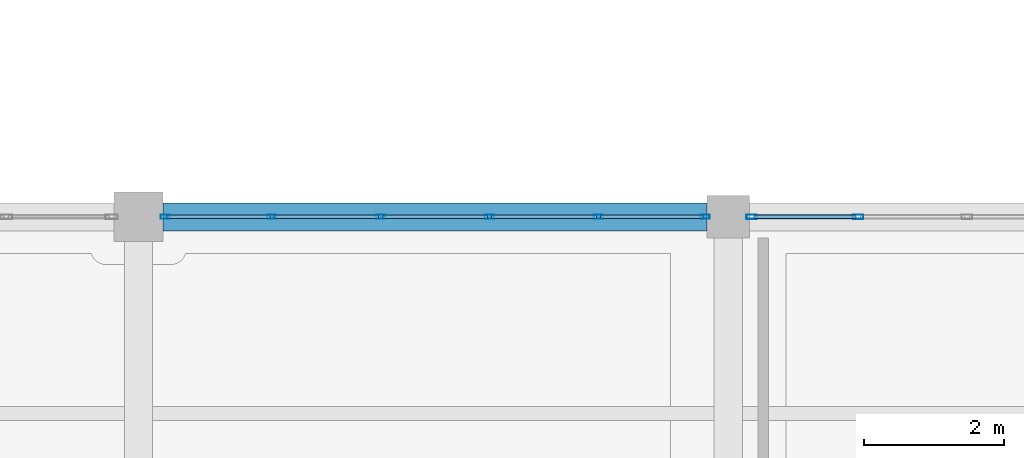
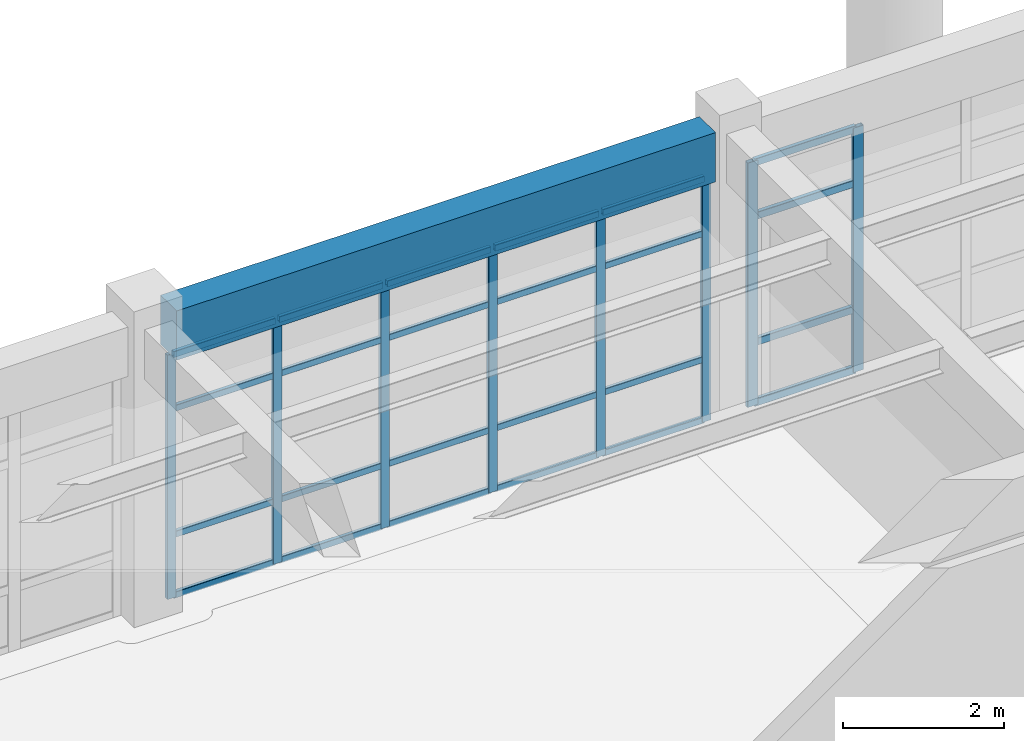
# One storey, part 23 of 98: 32 members, 1 beam, 2 elements without a shape of their own.
"""IFC4 building model written with IfcOpenShell, lengths in metres."""

from ifc_helpers import new_model, si_unit, direction, frame, origin, origin_2d, place, context, subcontext, project, spatial, rectangle, hollow_rectangle, extrude, material, material_profile, profile_set, type_object, element, aggregate, save


model = new_model("IFC4")

# Units and contexts
model_context = context("Model", 3, precision=1e-05, world=origin(), true_north=direction((0.0, 1.0)))
body_context = subcontext(model_context, "Body", "Model", "MODEL_VIEW")
ifc_project = project(units=[si_unit("LENGTHUNIT", "METRE"), si_unit("AREAUNIT", "SQUARE_METRE"), si_unit("VOLUMEUNIT", "CUBIC_METRE"), si_unit("PLANEANGLEUNIT", "RADIAN"), si_unit("MASSUNIT", "GRAM", prefix="KILO")], contexts=[model_context])

# Site, building, storey
site_placement = place(None, origin())
site = spatial("IfcSite", under=ifc_project, at=site_placement, CompositionType="ELEMENT")
building_placement = place(site_placement, origin())
building = spatial("IfcBuilding", under=site, at=building_placement, Name="Canglan Escarpment Cableway Terminal", CompositionType="ELEMENT")
storey_placement = place(building_placement, frame((0.0, 0.0, 9.60009765625)))
storey = spatial("IfcBuildingStorey", under=building, at=storey_placement, Name="L02", CompositionType="ELEMENT", Elevation=9.60009765625)

# Curtain wall, members
ifc_material_1 = material(Name="Anodized bronze aluminium and Low-E double glazing", Category="aluminium")
curtain_wall_type = type_object("IfcCurtainWallType", Name="CW-BAY-7750x3725", PredefinedType="NOTDEFINED", material=ifc_material_1)
curtain_wall_1_placement = place(storey_placement, origin())
curtain_wall_1 = element("IfcCurtainWall", 1, at=curtain_wall_1_placement, inside=storey, type_object=curtain_wall_type, Name="Classical bay-between-piers glazed curtain wall CW-12", PredefinedType="NOTDEFINED")
ifc_material_2 = material(Name="Thermally broken anodized aluminium 6063-T6", Category="aluminium")
ifc_material_profile_1 = material_profile(ifc_material_2, hollow_rectangle(XDim=0.06005859375, YDim=0.1298828125, WallThickness=0.0029296875, InnerFilletRadius=0.0029296875, OuterFilletRadius=0.006103515625, at=origin_2d()), Name="ALU-MULL 60x130x3")
ifc_profile_set_1 = profile_set([ifc_material_profile_1], Name="Thermally broken anodized aluminium 6063-T6")
member_type_1 = type_object("IfcMemberType", Name="CWM-01", PredefinedType="MULLION", material=ifc_profile_set_1)
member_1_placement = place(storey_placement, frame((101.8701171875, 24.800048828125, 0.0), z_axis=(0.0, 0.0, 1.0), x_axis=(0.0, -1.0, 0.0)))
member_1 = element("IfcMember", 2, at=member_1_placement, type_object=member_type_1, Name="CW-12 mullion 1", PredefinedType="MULLION", context=body_context, shape_type="SweptSolid", body=[
    extrude(hollow_rectangle(XDim=0.06005859375, YDim=0.1298828125, WallThickness=0.0029296875, InnerFilletRadius=0.0029296875, OuterFilletRadius=0.006103515625, at=origin_2d()), origin(), (0.0, 0.0, 1.0), 3.71484375),
])
member_2_placement = place(storey_placement, frame((100.35009765625, 24.800048828125, 0.0), z_axis=(0.0, 0.0, 1.0), x_axis=(0.0, -1.0, 0.0)))
member_2 = element("IfcMember", 3, at=member_2_placement, type_object=member_type_1, Name="CW-12 mullion 2", PredefinedType="MULLION", context=body_context, shape_type="SweptSolid", body=[
    extrude(hollow_rectangle(XDim=0.06005859375, YDim=0.1298828125, WallThickness=0.0029296875, InnerFilletRadius=0.0029296875, OuterFilletRadius=0.006103515625, at=origin_2d()), origin(), (0.0, 0.0, 1.0), 3.71484375),
])
member_3_placement = place(storey_placement, frame((98.800048828125, 24.800048828125, 0.0), z_axis=(0.0, 0.0, 1.0), x_axis=(0.0, -1.0, 0.0)))
member_3 = element("IfcMember", 4, at=member_3_placement, type_object=member_type_1, Name="CW-12 mullion 3", PredefinedType="MULLION", context=body_context, shape_type="SweptSolid", body=[
    extrude(hollow_rectangle(XDim=0.06005859375, YDim=0.1298828125, WallThickness=0.0029296875, InnerFilletRadius=0.0029296875, OuterFilletRadius=0.006103515625, at=origin_2d()), origin(), (0.0, 0.0, 1.0), 3.71484375),
])
member_4_placement = place(storey_placement, frame((97.25, 24.800048828125, 0.0), z_axis=(0.0, 0.0, 1.0), x_axis=(0.0, -1.0, 0.0)))
member_4 = element("IfcMember", 5, at=member_4_placement, type_object=member_type_1, Name="CW-12 mullion 4", PredefinedType="MULLION", context=body_context, shape_type="SweptSolid", body=[
    extrude(hollow_rectangle(XDim=0.06005859375, YDim=0.1298828125, WallThickness=0.0029296875, InnerFilletRadius=0.0029296875, OuterFilletRadius=0.006103515625, at=origin_2d()), origin(), (0.0, 0.0, 1.0), 3.71484375),
])
member_5_placement = place(storey_placement, frame((95.699951171875, 24.800048828125, 0.0), z_axis=(0.0, 0.0, 1.0), x_axis=(0.0, -1.0, 0.0)))
member_5 = element("IfcMember", 6, at=member_5_placement, type_object=member_type_1, Name="CW-12 mullion 5", PredefinedType="MULLION", context=body_context, shape_type="SweptSolid", body=[
    extrude(hollow_rectangle(XDim=0.06005859375, YDim=0.1298828125, WallThickness=0.0029296875, InnerFilletRadius=0.0029296875, OuterFilletRadius=0.006103515625, at=origin_2d()), origin(), (0.0, 0.0, 1.0), 3.71484375),
])
member_6_placement = place(storey_placement, frame((94.179931640625, 24.800048828125, 0.0), z_axis=(0.0, 0.0, 1.0), x_axis=(0.0, -1.0, 0.0)))
member_6 = element("IfcMember", 7, at=member_6_placement, type_object=member_type_1, Name="CW-12 mullion 6", PredefinedType="MULLION", context=body_context, shape_type="SweptSolid", body=[
    extrude(hollow_rectangle(XDim=0.06005859375, YDim=0.1298828125, WallThickness=0.0029296875, InnerFilletRadius=0.0029296875, OuterFilletRadius=0.006103515625, at=origin_2d()), origin(), (0.0, 0.0, 1.0), 3.71484375),
])

curtain_wall_2_placement = place(storey_placement, origin())
curtain_wall_2 = element("IfcCurtainWall", 8, at=curtain_wall_2_placement, inside=storey, type_object=curtain_wall_type, Name="Classical bay-between-piers glazed curtain wall CW-12", PredefinedType="NOTDEFINED")
ifc_material_profile_2 = material_profile(ifc_material_2, hollow_rectangle(XDim=0.06494140625, YDim=0.14990234375, WallThickness=0.00341796875, InnerFilletRadius=0.00341796875, OuterFilletRadius=0.007080078125, at=origin_2d()), Name="ALU-MULL 65x150x3.5")
ifc_profile_set_2 = profile_set([ifc_material_profile_2], Name="Thermally broken anodized aluminium 6063-T6")
member_type_2 = type_object("IfcMemberType", Name="CWM-02", PredefinedType="MULLION", material=ifc_profile_set_2)
member_7_placement = place(storey_placement, frame((104.050048828125, 24.800048828125, 0.0), z_axis=(0.0, 0.0, 1.0), x_axis=(0.0, -1.0, 0.0)))
member_7 = element("IfcMember", 9, at=member_7_placement, type_object=member_type_2, Name="CW-12 mullion 5", PredefinedType="MULLION", context=body_context, shape_type="SweptSolid", body=[
    extrude(hollow_rectangle(XDim=0.06494140625, YDim=0.14990234375, WallThickness=0.00341796875, InnerFilletRadius=0.00341796875, OuterFilletRadius=0.007080078125, at=origin_2d()), origin(), (0.0, 0.0, 1.0), 3.71484375),
])
member_8_placement = place(storey_placement, frame((102.532470703125, 24.800048828125, 0.0), z_axis=(0.0, 0.0, 1.0), x_axis=(0.0, -1.0, 0.0)))
member_8 = element("IfcMember", 10, at=member_8_placement, type_object=member_type_2, Name="CW-12 mullion 6", PredefinedType="MULLION", context=body_context, shape_type="SweptSolid", body=[
    extrude(hollow_rectangle(XDim=0.06494140625, YDim=0.14990234375, WallThickness=0.00341796875, InnerFilletRadius=0.00341796875, OuterFilletRadius=0.007080078125, at=origin_2d()), origin(), (0.0, 0.0, 1.0), 3.71484375),
])

# Member
ifc_material_profile_3 = material_profile(ifc_material_2, hollow_rectangle(XDim=0.054931640625, YDim=0.094970703125, WallThickness=0.0029296875, InnerFilletRadius=0.0029296875, OuterFilletRadius=0.006103515625, at=origin_2d()), Name="ALU-TRAN 55x95x3")
ifc_profile_set_3 = profile_set([ifc_material_profile_3], Name="Thermally broken anodized aluminium 6063-T6")
member_type_3 = type_object("IfcMemberType", Name="CWT-01", PredefinedType="USERDEFINED", material=ifc_profile_set_3)
member_9_placement = place(storey_placement, frame((101.840087890625, 24.800048828125, 0.02734375), z_axis=(-1.0, 0.0, 0.0), x_axis=(0.0, -1.0, 0.0)))
member_9 = element("IfcMember", 11, at=member_9_placement, type_object=member_type_3, Name="CW-12 transom 1.1", ObjectType="TRANSOM", PredefinedType="USERDEFINED", context=body_context, shape_type="SweptSolid", body=[
    extrude(hollow_rectangle(XDim=0.054931640625, YDim=0.094970703125, WallThickness=0.0029296875, InnerFilletRadius=0.0029296875, OuterFilletRadius=0.006103515625, at=origin_2d()), origin(), (0.0, 0.0, 1.0), 1.460205078125),
])

member_10_placement = place(storey_placement, frame((101.840087890625, 24.800048828125, 0.949951171875), z_axis=(-1.0, 0.0, 0.0), x_axis=(0.0, -1.0, 0.0)))
member_10 = element("IfcMember", 12, at=member_10_placement, type_object=member_type_3, Name="CW-12 transom 1.2", ObjectType="TRANSOM", PredefinedType="USERDEFINED", context=body_context, shape_type="SweptSolid", body=[
    extrude(hollow_rectangle(XDim=0.054931640625, YDim=0.094970703125, WallThickness=0.0029296875, InnerFilletRadius=0.0029296875, OuterFilletRadius=0.006103515625, at=origin_2d()), origin(), (0.0, 0.0, 1.0), 1.460205078125),
])

member_11_placement = place(storey_placement, frame((101.840087890625, 24.800048828125, 2.864990234375), z_axis=(-1.0, 0.0, 0.0), x_axis=(0.0, -1.0, 0.0)))
member_11 = element("IfcMember", 13, at=member_11_placement, type_object=member_type_3, Name="CW-12 transom 1.3", ObjectType="TRANSOM", PredefinedType="USERDEFINED", context=body_context, shape_type="SweptSolid", body=[
    extrude(hollow_rectangle(XDim=0.054931640625, YDim=0.094970703125, WallThickness=0.0029296875, InnerFilletRadius=0.0029296875, OuterFilletRadius=0.006103515625, at=origin_2d()), origin(), (0.0, 0.0, 1.0), 1.460205078125),
])

member_12_placement = place(storey_placement, frame((101.840087890625, 24.800048828125, 3.6875), z_axis=(-1.0, 0.0, 0.0), x_axis=(0.0, -1.0, 0.0)))
member_12 = element("IfcMember", 14, at=member_12_placement, type_object=member_type_3, Name="CW-12 transom 1.4", ObjectType="TRANSOM", PredefinedType="USERDEFINED", context=body_context, shape_type="SweptSolid", body=[
    extrude(hollow_rectangle(XDim=0.054931640625, YDim=0.094970703125, WallThickness=0.0029296875, InnerFilletRadius=0.0029296875, OuterFilletRadius=0.006103515625, at=origin_2d()), origin(), (0.0, 0.0, 1.0), 1.460205078125),
])

member_13_placement = place(storey_placement, frame((100.320068359375, 24.800048828125, 0.02734375), z_axis=(-1.0, 0.0, 0.0), x_axis=(0.0, -1.0, 0.0)))
member_13 = element("IfcMember", 15, at=member_13_placement, type_object=member_type_3, Name="CW-12 transom 2.1", ObjectType="TRANSOM", PredefinedType="USERDEFINED", context=body_context, shape_type="SweptSolid", body=[
    extrude(hollow_rectangle(XDim=0.054931640625, YDim=0.094970703125, WallThickness=0.0029296875, InnerFilletRadius=0.0029296875, OuterFilletRadius=0.006103515625, at=origin_2d()), origin(), (0.0, 0.0, 1.0), 1.489990234375),
])

member_14_placement = place(storey_placement, frame((100.320068359375, 24.800048828125, 0.949951171875), z_axis=(-1.0, 0.0, 0.0), x_axis=(0.0, -1.0, 0.0)))
member_14 = element("IfcMember", 16, at=member_14_placement, type_object=member_type_3, Name="CW-12 transom 2.2", ObjectType="TRANSOM", PredefinedType="USERDEFINED", context=body_context, shape_type="SweptSolid", body=[
    extrude(hollow_rectangle(XDim=0.054931640625, YDim=0.094970703125, WallThickness=0.0029296875, InnerFilletRadius=0.0029296875, OuterFilletRadius=0.006103515625, at=origin_2d()), origin(), (0.0, 0.0, 1.0), 1.489990234375),
])

member_15_placement = place(storey_placement, frame((100.320068359375, 24.800048828125, 2.864990234375), z_axis=(-1.0, 0.0, 0.0), x_axis=(0.0, -1.0, 0.0)))
member_15 = element("IfcMember", 17, at=member_15_placement, type_object=member_type_3, Name="CW-12 transom 2.3", ObjectType="TRANSOM", PredefinedType="USERDEFINED", context=body_context, shape_type="SweptSolid", body=[
    extrude(hollow_rectangle(XDim=0.054931640625, YDim=0.094970703125, WallThickness=0.0029296875, InnerFilletRadius=0.0029296875, OuterFilletRadius=0.006103515625, at=origin_2d()), origin(), (0.0, 0.0, 1.0), 1.489990234375),
])

member_16_placement = place(storey_placement, frame((100.320068359375, 24.800048828125, 3.6875), z_axis=(-1.0, 0.0, 0.0), x_axis=(0.0, -1.0, 0.0)))
member_16 = element("IfcMember", 18, at=member_16_placement, type_object=member_type_3, Name="CW-12 transom 2.4", ObjectType="TRANSOM", PredefinedType="USERDEFINED", context=body_context, shape_type="SweptSolid", body=[
    extrude(hollow_rectangle(XDim=0.054931640625, YDim=0.094970703125, WallThickness=0.0029296875, InnerFilletRadius=0.0029296875, OuterFilletRadius=0.006103515625, at=origin_2d()), origin(), (0.0, 0.0, 1.0), 1.489990234375),
])

member_17_placement = place(storey_placement, frame((98.77001953125, 24.800048828125, 0.02734375), z_axis=(-1.0, 0.0, 0.0), x_axis=(0.0, -1.0, 0.0)))
member_17 = element("IfcMember", 19, at=member_17_placement, type_object=member_type_3, Name="CW-12 transom 3.1", ObjectType="TRANSOM", PredefinedType="USERDEFINED", context=body_context, shape_type="SweptSolid", body=[
    extrude(hollow_rectangle(XDim=0.054931640625, YDim=0.094970703125, WallThickness=0.0029296875, InnerFilletRadius=0.0029296875, OuterFilletRadius=0.006103515625, at=origin_2d()), origin(), (0.0, 0.0, 1.0), 1.489990234375),
])

member_18_placement = place(storey_placement, frame((98.77001953125, 24.800048828125, 0.949951171875), z_axis=(-1.0, 0.0, 0.0), x_axis=(0.0, -1.0, 0.0)))
member_18 = element("IfcMember", 20, at=member_18_placement, type_object=member_type_3, Name="CW-12 transom 3.2", ObjectType="TRANSOM", PredefinedType="USERDEFINED", context=body_context, shape_type="SweptSolid", body=[
    extrude(hollow_rectangle(XDim=0.054931640625, YDim=0.094970703125, WallThickness=0.0029296875, InnerFilletRadius=0.0029296875, OuterFilletRadius=0.006103515625, at=origin_2d()), origin(), (0.0, 0.0, 1.0), 1.489990234375),
])

member_19_placement = place(storey_placement, frame((98.77001953125, 24.800048828125, 2.864990234375), z_axis=(-1.0, 0.0, 0.0), x_axis=(0.0, -1.0, 0.0)))
member_19 = element("IfcMember", 21, at=member_19_placement, type_object=member_type_3, Name="CW-12 transom 3.3", ObjectType="TRANSOM", PredefinedType="USERDEFINED", context=body_context, shape_type="SweptSolid", body=[
    extrude(hollow_rectangle(XDim=0.054931640625, YDim=0.094970703125, WallThickness=0.0029296875, InnerFilletRadius=0.0029296875, OuterFilletRadius=0.006103515625, at=origin_2d()), origin(), (0.0, 0.0, 1.0), 1.489990234375),
])

member_20_placement = place(storey_placement, frame((98.77001953125, 24.800048828125, 3.6875), z_axis=(-1.0, 0.0, 0.0), x_axis=(0.0, -1.0, 0.0)))
member_20 = element("IfcMember", 22, at=member_20_placement, type_object=member_type_3, Name="CW-12 transom 3.4", ObjectType="TRANSOM", PredefinedType="USERDEFINED", context=body_context, shape_type="SweptSolid", body=[
    extrude(hollow_rectangle(XDim=0.054931640625, YDim=0.094970703125, WallThickness=0.0029296875, InnerFilletRadius=0.0029296875, OuterFilletRadius=0.006103515625, at=origin_2d()), origin(), (0.0, 0.0, 1.0), 1.489990234375),
])

member_21_placement = place(storey_placement, frame((97.219970703125, 24.800048828125, 0.02734375), z_axis=(-1.0, 0.0, 0.0), x_axis=(0.0, -1.0, 0.0)))
member_21 = element("IfcMember", 23, at=member_21_placement, type_object=member_type_3, Name="CW-12 transom 4.1", ObjectType="TRANSOM", PredefinedType="USERDEFINED", context=body_context, shape_type="SweptSolid", body=[
    extrude(hollow_rectangle(XDim=0.054931640625, YDim=0.094970703125, WallThickness=0.0029296875, InnerFilletRadius=0.0029296875, OuterFilletRadius=0.006103515625, at=origin_2d()), origin(), (0.0, 0.0, 1.0), 1.489990234375),
])

member_22_placement = place(storey_placement, frame((97.219970703125, 24.800048828125, 0.949951171875), z_axis=(-1.0, 0.0, 0.0), x_axis=(0.0, -1.0, 0.0)))
member_22 = element("IfcMember", 24, at=member_22_placement, type_object=member_type_3, Name="CW-12 transom 4.2", ObjectType="TRANSOM", PredefinedType="USERDEFINED", context=body_context, shape_type="SweptSolid", body=[
    extrude(hollow_rectangle(XDim=0.054931640625, YDim=0.094970703125, WallThickness=0.0029296875, InnerFilletRadius=0.0029296875, OuterFilletRadius=0.006103515625, at=origin_2d()), origin(), (0.0, 0.0, 1.0), 1.489990234375),
])

member_23_placement = place(storey_placement, frame((97.219970703125, 24.800048828125, 2.864990234375), z_axis=(-1.0, 0.0, 0.0), x_axis=(0.0, -1.0, 0.0)))
member_23 = element("IfcMember", 25, at=member_23_placement, type_object=member_type_3, Name="CW-12 transom 4.3", ObjectType="TRANSOM", PredefinedType="USERDEFINED", context=body_context, shape_type="SweptSolid", body=[
    extrude(hollow_rectangle(XDim=0.054931640625, YDim=0.094970703125, WallThickness=0.0029296875, InnerFilletRadius=0.0029296875, OuterFilletRadius=0.006103515625, at=origin_2d()), origin(), (0.0, 0.0, 1.0), 1.489990234375),
])

member_24_placement = place(storey_placement, frame((97.219970703125, 24.800048828125, 3.6875), z_axis=(-1.0, 0.0, 0.0), x_axis=(0.0, -1.0, 0.0)))
member_24 = element("IfcMember", 26, at=member_24_placement, type_object=member_type_3, Name="CW-12 transom 4.4", ObjectType="TRANSOM", PredefinedType="USERDEFINED", context=body_context, shape_type="SweptSolid", body=[
    extrude(hollow_rectangle(XDim=0.054931640625, YDim=0.094970703125, WallThickness=0.0029296875, InnerFilletRadius=0.0029296875, OuterFilletRadius=0.006103515625, at=origin_2d()), origin(), (0.0, 0.0, 1.0), 1.489990234375),
])

member_25_placement = place(storey_placement, frame((95.669921875, 24.800048828125, 0.02734375), z_axis=(-1.0, 0.0, 0.0), x_axis=(0.0, -1.0, 0.0)))
member_25 = element("IfcMember", 27, at=member_25_placement, type_object=member_type_3, Name="CW-12 transom 5.1", ObjectType="TRANSOM", PredefinedType="USERDEFINED", context=body_context, shape_type="SweptSolid", body=[
    extrude(hollow_rectangle(XDim=0.054931640625, YDim=0.094970703125, WallThickness=0.0029296875, InnerFilletRadius=0.0029296875, OuterFilletRadius=0.006103515625, at=origin_2d()), origin(), (0.0, 0.0, 1.0), 1.4599609375),
])

member_26_placement = place(storey_placement, frame((95.669921875, 24.800048828125, 0.949951171875), z_axis=(-1.0, 0.0, 0.0), x_axis=(0.0, -1.0, 0.0)))
member_26 = element("IfcMember", 28, at=member_26_placement, type_object=member_type_3, Name="CW-12 transom 5.2", ObjectType="TRANSOM", PredefinedType="USERDEFINED", context=body_context, shape_type="SweptSolid", body=[
    extrude(hollow_rectangle(XDim=0.054931640625, YDim=0.094970703125, WallThickness=0.0029296875, InnerFilletRadius=0.0029296875, OuterFilletRadius=0.006103515625, at=origin_2d()), origin(), (0.0, 0.0, 1.0), 1.4599609375),
])

member_27_placement = place(storey_placement, frame((95.669921875, 24.800048828125, 2.864990234375), z_axis=(-1.0, 0.0, 0.0), x_axis=(0.0, -1.0, 0.0)))
member_27 = element("IfcMember", 29, at=member_27_placement, type_object=member_type_3, Name="CW-12 transom 5.3", ObjectType="TRANSOM", PredefinedType="USERDEFINED", context=body_context, shape_type="SweptSolid", body=[
    extrude(hollow_rectangle(XDim=0.054931640625, YDim=0.094970703125, WallThickness=0.0029296875, InnerFilletRadius=0.0029296875, OuterFilletRadius=0.006103515625, at=origin_2d()), origin(), (0.0, 0.0, 1.0), 1.4599609375),
])

member_28_placement = place(storey_placement, frame((95.669921875, 24.800048828125, 3.6875), z_axis=(-1.0, 0.0, 0.0), x_axis=(0.0, -1.0, 0.0)))
member_28 = element("IfcMember", 30, at=member_28_placement, type_object=member_type_3, Name="CW-12 transom 5.4", ObjectType="TRANSOM", PredefinedType="USERDEFINED", context=body_context, shape_type="SweptSolid", body=[
    extrude(hollow_rectangle(XDim=0.054931640625, YDim=0.094970703125, WallThickness=0.0029296875, InnerFilletRadius=0.0029296875, OuterFilletRadius=0.006103515625, at=origin_2d()), origin(), (0.0, 0.0, 1.0), 1.4599609375),
])

aggregate(curtain_wall_1, [member_1, member_2, member_3, member_4, member_5, member_6, member_9, member_10, member_11, member_12, member_13, member_14, member_15, member_16, member_17, member_18, member_19, member_20, member_21, member_22, member_23, member_24, member_25, member_26, member_27, member_28])

ifc_material_profile_4 = material_profile(ifc_material_2, hollow_rectangle(XDim=0.06005859375, YDim=0.110107421875, WallThickness=0.0029296875, InnerFilletRadius=0.0029296875, OuterFilletRadius=0.006103515625, at=origin_2d()), Name="ALU-TRAN 60x110x3")
ifc_profile_set_4 = profile_set([ifc_material_profile_4], Name="Thermally broken anodized aluminium 6063-T6")
member_type_4 = type_object("IfcMemberType", Name="CWT-02", PredefinedType="USERDEFINED", material=ifc_profile_set_4)
member_29_placement = place(storey_placement, frame((104.017578125, 24.800048828125, 0.02978515625), z_axis=(-1.0, 0.0, 0.0), x_axis=(0.0, -1.0, 0.0)))
member_29 = element("IfcMember", 31, at=member_29_placement, type_object=member_type_4, Name="CW-12 transom 5.1", ObjectType="TRANSOM", PredefinedType="USERDEFINED", context=body_context, shape_type="SweptSolid", body=[
    extrude(hollow_rectangle(XDim=0.06005859375, YDim=0.110107421875, WallThickness=0.0029296875, InnerFilletRadius=0.0029296875, OuterFilletRadius=0.006103515625, at=origin_2d()), origin(), (0.0, 0.0, 1.0), 1.45263671875),
])

member_30_placement = place(storey_placement, frame((104.017578125, 24.800048828125, 0.949951171875), z_axis=(-1.0, 0.0, 0.0), x_axis=(0.0, -1.0, 0.0)))
member_30 = element("IfcMember", 32, at=member_30_placement, type_object=member_type_4, Name="CW-12 transom 5.2", ObjectType="TRANSOM", PredefinedType="USERDEFINED", context=body_context, shape_type="SweptSolid", body=[
    extrude(hollow_rectangle(XDim=0.06005859375, YDim=0.110107421875, WallThickness=0.0029296875, InnerFilletRadius=0.0029296875, OuterFilletRadius=0.006103515625, at=origin_2d()), origin(), (0.0, 0.0, 1.0), 1.45263671875),
])

member_31_placement = place(storey_placement, frame((104.017578125, 24.800048828125, 2.864990234375), z_axis=(-1.0, 0.0, 0.0), x_axis=(0.0, -1.0, 0.0)))
member_31 = element("IfcMember", 33, at=member_31_placement, type_object=member_type_4, Name="CW-12 transom 5.3", ObjectType="TRANSOM", PredefinedType="USERDEFINED", context=body_context, shape_type="SweptSolid", body=[
    extrude(hollow_rectangle(XDim=0.06005859375, YDim=0.110107421875, WallThickness=0.0029296875, InnerFilletRadius=0.0029296875, OuterFilletRadius=0.006103515625, at=origin_2d()), origin(), (0.0, 0.0, 1.0), 1.45263671875),
])

member_32_placement = place(storey_placement, frame((104.017578125, 24.800048828125, 3.684814453125), z_axis=(-1.0, 0.0, 0.0), x_axis=(0.0, -1.0, 0.0)))
member_32 = element("IfcMember", 34, at=member_32_placement, type_object=member_type_4, Name="CW-12 transom 5.4", ObjectType="TRANSOM", PredefinedType="USERDEFINED", context=body_context, shape_type="SweptSolid", body=[
    extrude(hollow_rectangle(XDim=0.06005859375, YDim=0.110107421875, WallThickness=0.0029296875, InnerFilletRadius=0.0029296875, OuterFilletRadius=0.006103515625, at=origin_2d()), origin(), (0.0, 0.0, 1.0), 1.45263671875),
])

aggregate(curtain_wall_2, [member_7, member_8, member_29, member_30, member_31, member_32])

# Beam
ifc_material_3 = material(Name="Concrete C40", Category="concrete")
ifc_material_profile_5 = material_profile(ifc_material_3, rectangle(XDim=0.39990234375, YDim=0.75, at=origin_2d()), Name="RC 400x750")
ifc_profile_set_5 = profile_set([ifc_material_profile_5], Name="Concrete C40")
beam_type = type_object("IfcBeamType", Name="SP-RC400x750", PredefinedType="SPANDREL", material=ifc_profile_set_5)
beam_placement = place(storey_placement, frame((94.14990234375, 24.800048828125, 4.10498046875), z_axis=(1.0, 0.0, 0.0), x_axis=(0.0, 1.0, 0.0)))
element("IfcBeam", 35, at=beam_placement, inside=storey, type_object=beam_type, Name="Primary structural girder SP-01", PredefinedType="SPANDREL", context=body_context, shape_type="SweptSolid", body=[
    extrude(rectangle(XDim=0.39990234375, YDim=0.75, at=origin_2d()), origin(), (0.0, 0.0, 1.0), 7.75),
])

save(model, "model.ifc")
